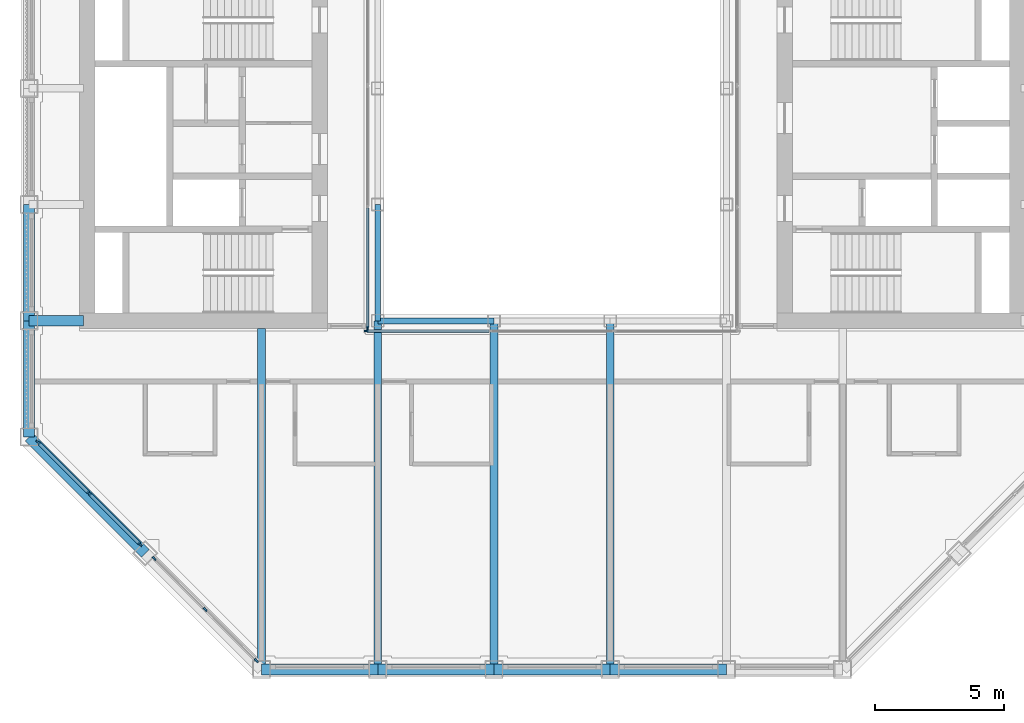
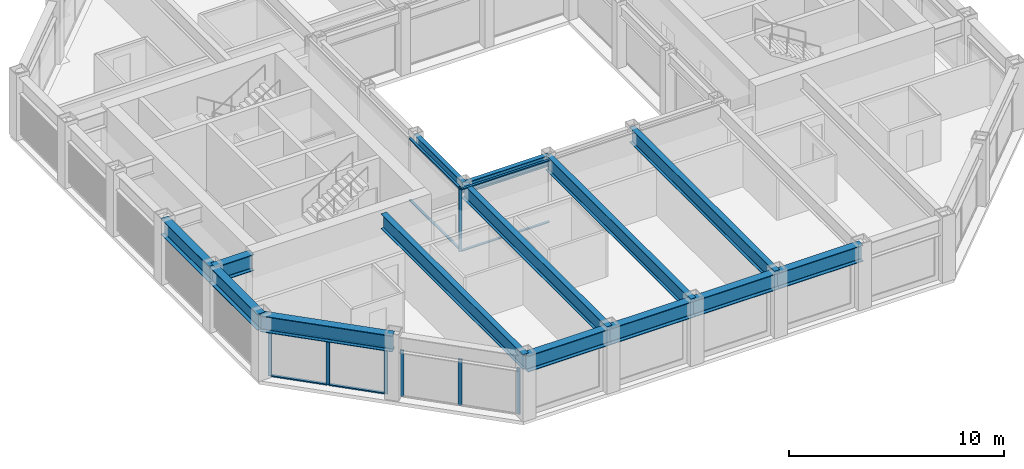
# One storey, part 2 of 16: 16 members, 14 beams, 4 elements without a shape of their own.
"""IFC4 building model written with IfcOpenShell, lengths in metres."""

from ifc_helpers import new_model, si_unit, direction, frame, origin, origin_2d, place, context, subcontext, project, spatial, rectangle, i_section, extrude, material, material_profile, profile_set, type_object, element, aggregate, save


model = new_model("IFC4")

# Units and contexts
model_context = context("Model", 3, precision=1e-05, world=origin(), true_north=direction((0.0, 1.0)))
body_context = subcontext(model_context, "Body", "Model", "MODEL_VIEW")
ifc_project = project(units=[si_unit("LENGTHUNIT", "METRE"), si_unit("AREAUNIT", "SQUARE_METRE"), si_unit("VOLUMEUNIT", "CUBIC_METRE"), si_unit("PLANEANGLEUNIT", "RADIAN"), si_unit("MASSUNIT", "GRAM", prefix="KILO")], contexts=[model_context])

# Site, building, storey
site_placement = place(None, origin())
site = spatial("IfcSite", under=ifc_project, at=site_placement, CompositionType="ELEMENT")
building_placement = place(site_placement, origin())
building = spatial("IfcBuilding", under=site, at=building_placement, Name="Msasa Ring Tower", CompositionType="ELEMENT")
storey_placement = place(building_placement, frame((0.0, 0.0, 215.800048828125)))
storey = spatial("IfcBuildingStorey", under=building, at=storey_placement, Name="L56", CompositionType="ELEMENT", Elevation=215.800048828125)

# Curtain wall, members
ifc_material_1 = material(Name="Aluminium curtain wall with clear glass", Category="aluminium")
curtain_wall_type_1 = type_object("IfcCurtainWallType", Name="CW-C CHAMFER CORNER CURTAIN WALL", PredefinedType="NOTDEFINED", material=ifc_material_1)
curtain_wall_1_placement = place(storey_placement, origin())
curtain_wall_1 = element("IfcCurtainWall", 1, at=curtain_wall_1_placement, inside=storey, type_object=curtain_wall_type_1, Name="Chamfer corner curtain wall SW L56", PredefinedType="NOTDEFINED")
ifc_material_2 = material(Name="Aluminium mullion", Category="aluminium")
ifc_material_profile_1 = material_profile(ifc_material_2, rectangle(XDim=0.06494140625, YDim=0.179931640625, at=origin_2d()), Name="AL 65x180")
ifc_profile_set_1 = profile_set([ifc_material_profile_1], Name="Aluminium mullion")
member_type_1 = type_object("IfcMemberType", Name="CW-C MULLION 65x180", PredefinedType="MULLION", material=ifc_profile_set_1)
member_1_placement = place(storey_placement, frame((-19.9052734375, -11.453369140625, 0.0), z_axis=(0.0, 0.0, 1.0), x_axis=(0.707106781187, 0.707106781187, 0.0)))
member_1 = element("IfcMember", 2, at=member_1_placement, type_object=member_type_1, Name="CW-C mullion 1", PredefinedType="MULLION", context=body_context, shape_type="SweptSolid", body=[
    extrude(rectangle(XDim=0.06494140625, YDim=0.179931640625, at=origin_2d()), origin(), (0.0, 0.0, 1.0), 2.62890625),
])
member_2_placement = place(storey_placement, frame((-17.92919921875, -13.42919921875, 0.0), z_axis=(0.0, 0.0, 1.0), x_axis=(0.707106781187, 0.707106781187, 0.0)))
member_2 = element("IfcMember", 3, at=member_2_placement, type_object=member_type_1, Name="CW-C mullion 2", PredefinedType="MULLION", context=body_context, shape_type="SweptSolid", body=[
    extrude(rectangle(XDim=0.06494140625, YDim=0.179931640625, at=origin_2d()), origin(), (0.0, 0.0, 1.0), 2.62890625),
])
member_3_placement = place(storey_placement, frame((-15.953369140625, -15.4052734375, 0.0), z_axis=(0.0, 0.0, 1.0), x_axis=(0.707106781187, 0.707106781187, 0.0)))
member_3 = element("IfcMember", 4, at=member_3_placement, type_object=member_type_1, Name="CW-C mullion 3", PredefinedType="MULLION", context=body_context, shape_type="SweptSolid", body=[
    extrude(rectangle(XDim=0.06494140625, YDim=0.179931640625, at=origin_2d()), origin(), (0.0, 0.0, 1.0), 2.62890625),
])

curtain_wall_2_placement = place(storey_placement, origin())
curtain_wall_2 = element("IfcCurtainWall", 5, at=curtain_wall_2_placement, inside=storey, type_object=curtain_wall_type_1, Name="Chamfer corner curtain wall SW L56", PredefinedType="NOTDEFINED")
member_4_placement = place(storey_placement, frame((-15.4052734375, -15.953369140625, 0.0), z_axis=(0.0, 0.0, 1.0), x_axis=(0.707106781187, 0.707106781187, 0.0)))
member_4 = element("IfcMember", 6, at=member_4_placement, type_object=member_type_1, Name="CW-C mullion 1", PredefinedType="MULLION", context=body_context, shape_type="SweptSolid", body=[
    extrude(rectangle(XDim=0.06494140625, YDim=0.179931640625, at=origin_2d()), origin(), (0.0, 0.0, 1.0), 2.62890625),
])
member_5_placement = place(storey_placement, frame((-13.42919921875, -17.92919921875, 0.0), z_axis=(0.0, 0.0, 1.0), x_axis=(0.707106781187, 0.707106781187, 0.0)))
member_5 = element("IfcMember", 7, at=member_5_placement, type_object=member_type_1, Name="CW-C mullion 2", PredefinedType="MULLION", context=body_context, shape_type="SweptSolid", body=[
    extrude(rectangle(XDim=0.06494140625, YDim=0.179931640625, at=origin_2d()), origin(), (0.0, 0.0, 1.0), 2.62890625),
])
member_6_placement = place(storey_placement, frame((-11.453369140625, -19.9052734375, 0.0), z_axis=(0.0, 0.0, 1.0), x_axis=(0.707106781187, 0.707106781187, 0.0)))
member_6 = element("IfcMember", 8, at=member_6_placement, type_object=member_type_1, Name="CW-C mullion 3", PredefinedType="MULLION", context=body_context, shape_type="SweptSolid", body=[
    extrude(rectangle(XDim=0.06494140625, YDim=0.179931640625, at=origin_2d()), origin(), (0.0, 0.0, 1.0), 2.62890625),
])
aggregate(curtain_wall_2, [member_4, member_5, member_6])

# Member
ifc_material_3 = material(Name="Aluminium transom", Category="aluminium")
ifc_material_profile_2 = material_profile(ifc_material_3, rectangle(XDim=0.139892578125, YDim=0.06494140625, at=origin_2d()), Name="AL 65x140")
ifc_profile_set_2 = profile_set([ifc_material_profile_2], Name="Aluminium transom")
member_type_2 = type_object("IfcMemberType", Name="CW-C TRANSOM 65x140", PredefinedType="USERDEFINED", material=ifc_profile_set_2)
member_7_placement = place(storey_placement, frame((-19.88232421875, -11.476318359375, 0.032470703125), z_axis=(0.707106781187, -0.707106781187, 0.0), x_axis=(0.707106781187, 0.707106781187, 0.0)))
member_7 = element("IfcMember", 9, at=member_7_placement, type_object=member_type_2, Name="CW-C transom 1.1", ObjectType="TRANSOM", PredefinedType="USERDEFINED", context=body_context, shape_type="SweptSolid", body=[
    extrude(rectangle(XDim=0.139892578125, YDim=0.06494140625, at=origin_2d()), origin(), (0.0, 0.0, 1.0), 2.729248046875),
])

member_8_placement = place(storey_placement, frame((-19.88232421875, -11.476318359375, 2.596435546875), z_axis=(0.707106781187, -0.707106781187, 0.0), x_axis=(0.707106781187, 0.707106781187, 0.0)))
member_8 = element("IfcMember", 10, at=member_8_placement, type_object=member_type_2, Name="CW-C transom 1.2", ObjectType="TRANSOM", PredefinedType="USERDEFINED", context=body_context, shape_type="SweptSolid", body=[
    extrude(rectangle(XDim=0.139892578125, YDim=0.06494140625, at=origin_2d()), origin(), (0.0, 0.0, 1.0), 2.729248046875),
])

member_9_placement = place(storey_placement, frame((-17.90625, -13.452392578125, 0.032470703125), z_axis=(0.707106781187, -0.707106781187, 0.0), x_axis=(0.707106781187, 0.707106781187, 0.0)))
member_9 = element("IfcMember", 11, at=member_9_placement, type_object=member_type_2, Name="CW-C transom 2.1", ObjectType="TRANSOM", PredefinedType="USERDEFINED", context=body_context, shape_type="SweptSolid", body=[
    extrude(rectangle(XDim=0.139892578125, YDim=0.06494140625, at=origin_2d()), origin(), (0.0, 0.0, 1.0), 2.729248046875),
])

member_10_placement = place(storey_placement, frame((-17.90625, -13.452392578125, 2.596435546875), z_axis=(0.707106781187, -0.707106781187, 0.0), x_axis=(0.707106781187, 0.707106781187, 0.0)))
member_10 = element("IfcMember", 12, at=member_10_placement, type_object=member_type_2, Name="CW-C transom 2.2", ObjectType="TRANSOM", PredefinedType="USERDEFINED", context=body_context, shape_type="SweptSolid", body=[
    extrude(rectangle(XDim=0.139892578125, YDim=0.06494140625, at=origin_2d()), origin(), (0.0, 0.0, 1.0), 2.729248046875),
])

aggregate(curtain_wall_1, [member_1, member_2, member_3, member_7, member_8, member_9, member_10])

# Curtain wall, member
ifc_material_4 = material(Name="Aluminium curtain wall with clear glass", Category="aluminium")
curtain_wall_type_2 = type_object("IfcCurtainWallType", Name="CW-W LIGHT WELL CURTAIN WALL", PredefinedType="NOTDEFINED", material=ifc_material_4)
curtain_wall_3_placement = place(storey_placement, origin())
curtain_wall_3 = element("IfcCurtainWall", 13, at=curtain_wall_3_placement, inside=storey, type_object=curtain_wall_type_2, Name="Light well curtain wall S L56", PredefinedType="NOTDEFINED")
ifc_material_5 = material(Name="Aluminium mullion", Category="aluminium")
ifc_material_profile_3 = material_profile(ifc_material_5, rectangle(XDim=0.06005859375, YDim=0.159912109375, at=origin_2d()), Name="AL 60x160")
ifc_profile_set_3 = profile_set([ifc_material_profile_3], Name="Aluminium mullion")
member_type_3 = type_object("IfcMemberType", Name="CW-W MULLION 60x160", PredefinedType="MULLION", material=ifc_profile_set_3)
member_11_placement = place(storey_placement, frame((-7.199951171875, -7.14990234375, 0.0), z_axis=(0.0, 0.0, 1.0), x_axis=(0.0, 1.0, 0.0)))
member_11 = element("IfcMember", 14, at=member_11_placement, type_object=member_type_3, Name="CW-W mullion 1", PredefinedType="MULLION", context=body_context, shape_type="SweptSolid", body=[
    extrude(rectangle(XDim=0.06005859375, YDim=0.159912109375, at=origin_2d()), origin(), (0.0, 0.0, 1.0), 3.550048828125),
])

curtain_wall_4_placement = place(storey_placement, origin())
curtain_wall_4 = element("IfcCurtainWall", 15, at=curtain_wall_4_placement, inside=storey, type_object=curtain_wall_type_2, Name="Light well curtain wall W L56", PredefinedType="NOTDEFINED")
member_12_placement = place(storey_placement, frame((-7.14990234375, -7.0400390625, 0.0), z_axis=(0.0, 0.0, 1.0), x_axis=(-1.0, 0.0, 0.0)))
member_12 = element("IfcMember", 16, at=member_12_placement, type_object=member_type_3, Name="CW-W mullion 1", PredefinedType="MULLION", context=body_context, shape_type="SweptSolid", body=[
    extrude(rectangle(XDim=0.06005859375, YDim=0.159912109375, at=origin_2d()), origin(), (0.0, 0.0, 1.0), 3.550048828125),
])

# Member
ifc_material_6 = material(Name="Aluminium transom", Category="aluminium")
ifc_material_profile_4 = material_profile(ifc_material_6, rectangle(XDim=0.1201171875, YDim=0.06005859375, at=origin_2d()), Name="AL 60x120")
ifc_profile_set_4 = profile_set([ifc_material_profile_4], Name="Aluminium transom")
member_type_4 = type_object("IfcMemberType", Name="CW-W TRANSOM 60x120", PredefinedType="USERDEFINED", material=ifc_profile_set_4)
member_13_placement = place(storey_placement, frame((-7.169921875, -7.14990234375, 0.030029296875), z_axis=(1.0, 0.0, 0.0), x_axis=(0.0, 1.0, 0.0)))
member_13 = element("IfcMember", 17, at=member_13_placement, type_object=member_type_4, Name="CW-W transom 1.1", ObjectType="TRANSOM", PredefinedType="USERDEFINED", context=body_context, shape_type="SweptSolid", body=[
    extrude(rectangle(XDim=0.1201171875, YDim=0.06005859375, at=origin_2d()), origin(), (0.0, 0.0, 1.0), 4.72998046875),
])

member_14_placement = place(storey_placement, frame((-7.169921875, -7.14990234375, 3.52001953125), z_axis=(1.0, 0.0, 0.0), x_axis=(0.0, 1.0, 0.0)))
member_14 = element("IfcMember", 18, at=member_14_placement, type_object=member_type_4, Name="CW-W transom 1.2", ObjectType="TRANSOM", PredefinedType="USERDEFINED", context=body_context, shape_type="SweptSolid", body=[
    extrude(rectangle(XDim=0.1201171875, YDim=0.06005859375, at=origin_2d()), origin(), (0.0, 0.0, 1.0), 4.72998046875),
])

aggregate(curtain_wall_3, [member_11, member_13, member_14])

member_15_placement = place(storey_placement, frame((-7.14990234375, -7.010009765625, 0.030029296875), z_axis=(0.0, 1.0, 0.0), x_axis=(-1.0, 0.0, 0.0)))
member_15 = element("IfcMember", 19, at=member_15_placement, type_object=member_type_4, Name="CW-W transom 1.1", ObjectType="TRANSOM", PredefinedType="USERDEFINED", context=body_context, shape_type="SweptSolid", body=[
    extrude(rectangle(XDim=0.1201171875, YDim=0.06005859375, at=origin_2d()), origin(), (0.0, 0.0, 1.0), 4.623291015625),
])

member_16_placement = place(storey_placement, frame((-7.14990234375, -7.010009765625, 3.52001953125), z_axis=(0.0, 1.0, 0.0), x_axis=(-1.0, 0.0, 0.0)))
member_16 = element("IfcMember", 20, at=member_16_placement, type_object=member_type_4, Name="CW-W transom 1.2", ObjectType="TRANSOM", PredefinedType="USERDEFINED", context=body_context, shape_type="SweptSolid", body=[
    extrude(rectangle(XDim=0.1201171875, YDim=0.06005859375, at=origin_2d()), origin(), (0.0, 0.0, 1.0), 4.623291015625),
])

aggregate(curtain_wall_4, [member_12, member_15, member_16])

# Beams
ifc_material_7 = material(Name="Steel S355", Category="steel")
ifc_material_profile_5 = material_profile(ifc_material_7, i_section(OverallWidth=0.293701171875, OverallDepth=0.850830078125, WebThickness=0.01611328125, FlangeThickness=0.02685546875, FilletRadius=0.017822265625, at=origin_2d()), Name="UB 838x292x226")
ifc_profile_set_5 = profile_set([ifc_material_profile_5], Name="Steel S355")
beam_type_1 = type_object("IfcBeamType", Name="FB5 UB 838x292x226", PredefinedType="BEAM", material=ifc_profile_set_5)
beam_1_placement = place(storey_placement, frame((-11.25, -20.25, 3.12451171875), z_axis=(0.0, 1.0, 0.0), x_axis=(-1.0, 0.0, 0.0)))
element("IfcBeam", 21, at=beam_1_placement, inside=storey, type_object=beam_type_1, Name="Floor beam S-11.25 under L57", PredefinedType="BEAM", context=body_context, shape_type="SweptSolid", body=[
    extrude(i_section(OverallWidth=0.293701171875, OverallDepth=0.850830078125, WebThickness=0.01611328125, FlangeThickness=0.02685546875, FilletRadius=0.017822265625, at=origin_2d()), origin(), (0.0, 0.0, 1.0), 13.199951171875),
])
for number, where, z_axis, x_axis, name in (
    (22, (-6.75, -20.25, 3.12451171875), (0.0, 1.0, 0.0), (-1.0, 0.0, 0.0), "Floor beam S-6.75 under L57"),
    (23, (-2.25, -20.25, 3.12451171875), (0.0, 1.0, 0.0), (-1.0, 0.0, 0.0), "Floor beam S-2.25 under L57"),
    (24, (2.25, -20.25, 3.12451171875), (0.0, 1.0, 0.0), (-1.0, 0.0, 0.0), "Floor beam S+2.25 under L57"),
):
    element("IfcBeam", number, at=place(storey_placement, frame(where, z_axis=z_axis, x_axis=x_axis)), inside=storey, type_object=beam_type_1, Name=name, PredefinedType="BEAM", context=body_context, shape_type="SweptSolid", body=[
        extrude(i_section(OverallWidth=0.293701171875, OverallDepth=0.850830078125, WebThickness=0.01611328125, FlangeThickness=0.02685546875, FilletRadius=0.017822265625, at=origin_2d()), origin(), (0.0, 0.0, 1.0), 13.5),
    ])
ifc_material_8 = material(Name="Steel S355", Category="steel")
ifc_material_profile_6 = material_profile(ifc_material_8, i_section(OverallWidth=0.42041015625, OverallDepth=0.9208984375, WebThickness=0.021484375, FlangeThickness=0.03662109375, FilletRadius=0.024169921875, at=origin_2d()), Name="UB 914x419x388")
ifc_profile_set_6 = profile_set([ifc_material_profile_6], Name="Steel S355")
beam_type_2 = type_object("IfcBeamType", Name="GB1 UB 914x419x388", PredefinedType="BEAM", material=ifc_profile_set_6)
beam_2_placement = place(storey_placement, frame((-18.14990234375, -6.75, 3.08935546875), z_axis=(-1.0, 0.0, 0.0), x_axis=(0.0, -1.0, 0.0)))
element("IfcBeam", 25, at=beam_2_placement, inside=storey, type_object=beam_type_2, Name="Girder W -6.75 under L57", PredefinedType="BEAM", context=body_context, shape_type="SweptSolid", body=[
    extrude(i_section(OverallWidth=0.42041015625, OverallDepth=0.9208984375, WebThickness=0.021484375, FlangeThickness=0.03662109375, FilletRadius=0.024169921875, at=origin_2d()), origin(), (0.0, 0.0, 1.0), 2.10009765625),
])
ifc_material_9 = material(Name="Steel S355", Category="steel")
ifc_material_profile_7 = material_profile(ifc_material_9, i_section(OverallWidth=0.230224609375, OverallDepth=0.6171875, WebThickness=0.01318359375, FlangeThickness=0.022216796875, FilletRadius=0.0126953125, at=origin_2d()), Name="UB 610x229x140")
ifc_profile_set_7 = profile_set([ifc_material_profile_7], Name="Steel S355")
beam_type_3 = type_object("IfcBeamType", Name="RB1 UB 610x229x140", PredefinedType="BEAM", material=ifc_profile_set_7)
for number, where, z_axis, x_axis, name in (
    (26, (-6.75, -2.25, 3.241455078125), (0.0, -1.0, 0.0), (1.0, 0.0, 0.0), "Inner ring beam IR-6.75-2.25 under L57"),
    (27, (-6.75, -6.75, 3.241455078125), (1.0, 0.0, 0.0), (0.0, 1.0, 0.0), "Inner ring beam IR-6.75-6.75 under L57"),
):
    element("IfcBeam", number, at=place(storey_placement, frame(where, z_axis=z_axis, x_axis=x_axis)), inside=storey, type_object=beam_type_3, Name=name, PredefinedType="BEAM", context=body_context, shape_type="SweptSolid", body=[
        extrude(i_section(OverallWidth=0.230224609375, OverallDepth=0.6171875, WebThickness=0.01318359375, FlangeThickness=0.022216796875, FilletRadius=0.0126953125, at=origin_2d()), origin(), (0.0, 0.0, 1.0), 4.5),
    ])
ifc_material_10 = material(Name="Steel S355", Category="steel")
ifc_material_profile_8 = material_profile(ifc_material_10, i_section(OverallWidth=0.42041015625, OverallDepth=0.9208984375, WebThickness=0.021484375, FlangeThickness=0.03662109375, FilletRadius=0.024169921875, at=origin_2d()), Name="UB 914x419x388")
ifc_profile_set_8 = profile_set([ifc_material_profile_8], Name="Steel S355")
beam_type_4 = type_object("IfcBeamType", Name="SB1 UB 914x419x388", PredefinedType="SPANDREL", material=ifc_profile_set_8)
for number, where, z_axis, x_axis, name in (
    (28, (-20.25, -2.25, 3.08935546875), (0.0, -1.0, 0.0), (1.0, 0.0, 0.0), "Spandrel W-2.25 to W-6.75 under L57"),
    (29, (-20.25, -6.75, 3.08935546875), (0.0, -1.0, 0.0), (1.0, 0.0, 0.0), "Spandrel W-6.75 to W-11.25 under L57"),
):
    element("IfcBeam", number, at=place(storey_placement, frame(where, z_axis=z_axis, x_axis=x_axis)), inside=storey, type_object=beam_type_4, Name=name, PredefinedType="SPANDREL", context=body_context, shape_type="SweptSolid", body=[
        extrude(i_section(OverallWidth=0.42041015625, OverallDepth=0.9208984375, WebThickness=0.021484375, FlangeThickness=0.03662109375, FilletRadius=0.024169921875, at=origin_2d()), origin(), (0.0, 0.0, 1.0), 4.5),
    ])
beam_3_placement = place(storey_placement, frame((-20.25, -11.25, 3.08935546875), z_axis=(0.707106781187, -0.707106781187, 0.0), x_axis=(0.707106781187, 0.707106781187, 0.0)))
element("IfcBeam", 30, at=beam_3_placement, inside=storey, type_object=beam_type_4, Name="Spandrel W-11.25 to SW under L57", PredefinedType="SPANDREL", context=body_context, shape_type="SweptSolid", body=[
    extrude(i_section(OverallWidth=0.42041015625, OverallDepth=0.9208984375, WebThickness=0.021484375, FlangeThickness=0.03662109375, FilletRadius=0.024169921875, at=origin_2d()), origin(), (0.0, 0.0, 1.0), 6.364013671875),
])
for number, where, z_axis, x_axis, name in (
    (31, (-11.25, -20.25, 3.08935546875), (1.0, 0.0, 0.0), (0.0, 1.0, 0.0), "Spandrel S-11.25 to S-6.75 under L57"),
    (32, (-6.75, -20.25, 3.08935546875), (1.0, 0.0, 0.0), (0.0, 1.0, 0.0), "Spandrel S-6.75 to S-2.25 under L57"),
    (33, (-2.25, -20.25, 3.08935546875), (1.0, 0.0, 0.0), (0.0, 1.0, 0.0), "Spandrel S-2.25 to S+2.25 under L57"),
    (34, (2.25, -20.25, 3.08935546875), (1.0, 0.0, 0.0), (0.0, 1.0, 0.0), "Spandrel S+2.25 to S+6.75 under L57"),
):
    element("IfcBeam", number, at=place(storey_placement, frame(where, z_axis=z_axis, x_axis=x_axis)), inside=storey, type_object=beam_type_4, Name=name, PredefinedType="SPANDREL", context=body_context, shape_type="SweptSolid", body=[
        extrude(i_section(OverallWidth=0.42041015625, OverallDepth=0.9208984375, WebThickness=0.021484375, FlangeThickness=0.03662109375, FilletRadius=0.024169921875, at=origin_2d()), origin(), (0.0, 0.0, 1.0), 4.5),
    ])

save(model, "model.ifc")
